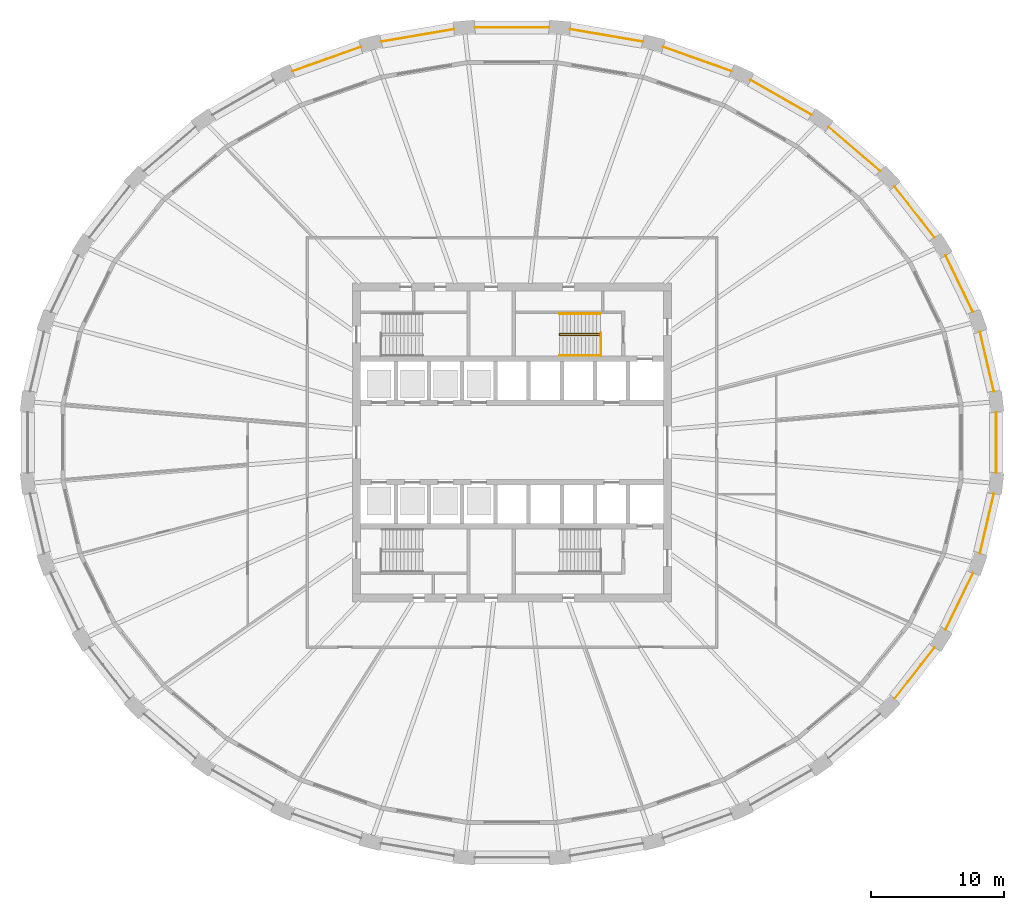
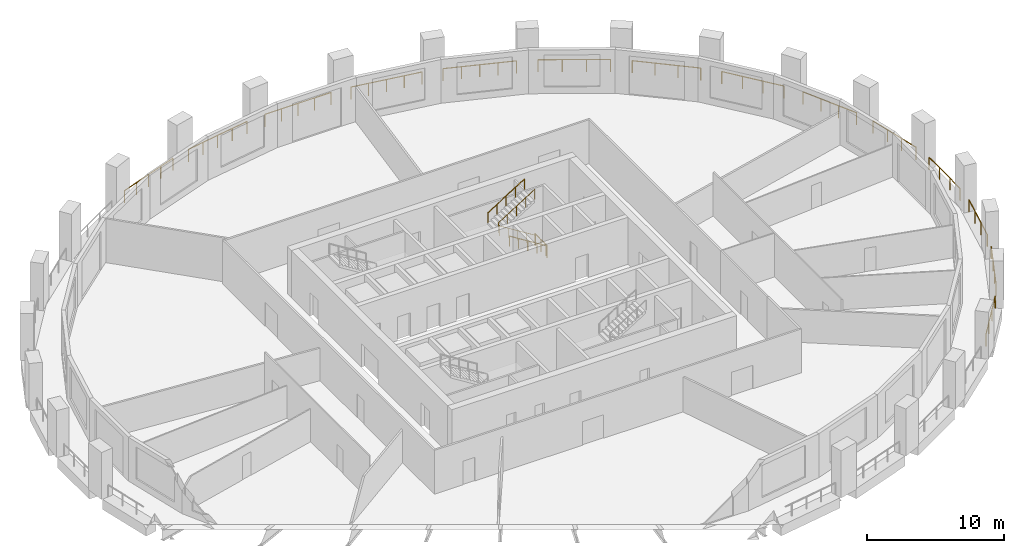
# One storey, part 10 of 11: 18 railings.
"""IFC4 building model written with IfcOpenShell, lengths in metres."""

from ifc_helpers import new_model, si_unit, direction, frame, origin, origin_2d, place, context, subcontext, project, spatial, circle, extrude, material, type_object, element, save


model = new_model("IFC4")

# Units and contexts
model_context = context("Model", 3, precision=1e-05, world=origin(), true_north=direction((0.0, 1.0)))
body_context = subcontext(model_context, "Body", "Model", "MODEL_VIEW")
ifc_project = project(units=[si_unit("LENGTHUNIT", "METRE"), si_unit("AREAUNIT", "SQUARE_METRE"), si_unit("VOLUMEUNIT", "CUBIC_METRE"), si_unit("PLANEANGLEUNIT", "RADIAN"), si_unit("MASSUNIT", "GRAM", prefix="KILO")], contexts=[model_context])

# Site, building, storey
site_placement = place(None, origin())
site = spatial("IfcSite", under=ifc_project, at=site_placement, CompositionType="ELEMENT")
building_placement = place(site_placement, origin())
building = spatial("IfcBuilding", under=site, at=building_placement, Name="Halqa Exchange Tower", CompositionType="ELEMENT")
storey_placement = place(building_placement, frame((0.0, 0.0, 73.89990234375)))
storey = spatial("IfcBuildingStorey", under=building, at=storey_placement, Name="L16", CompositionType="ELEMENT", Elevation=73.89990234375)

# Railings
ifc_material = material(Name="Stainless steel", Category="steel")
railing_type_1 = type_object("IfcRailingType", Name="Guard 1100 stainless steel", PredefinedType="GUARDRAIL", material=ifc_material)
railing_1_placement = place(storey_placement, frame((36.2744140625, 3.85693359375, 0.0)))
element("IfcRailing", 1, at=railing_1_placement, inside=storey, type_object=railing_type_1, Name="Loggia guard 1", PredefinedType="GUARDRAIL", context=body_context, shape_type="SweptSolid", body=[
    extrude(circle(Radius=0.02392578125, at=origin_2d()), frame((0.0, 0.0, 1.076171875), z_axis=(-0.226069418953, 0.974111193763, 0.0), x_axis=(-0.974111193763, -0.226069418953, 0.0)), (0.0, 0.0, 1.0), 4.59716796875),
    extrude(circle(Radius=0.02099609375, at=origin_2d()), origin(), (0.0, 0.0, 1.0), 1.052001953125),
    extrude(circle(Radius=0.02099609375, at=origin_2d()), frame((-0.346435546875, 1.49267578125, 0.0)), (0.0, 0.0, 1.0), 1.052001953125),
    extrude(circle(Radius=0.02099609375, at=origin_2d()), frame((-0.69287109375, 2.985595703125, 0.0)), (0.0, 0.0, 1.0), 1.052001953125),
    extrude(circle(Radius=0.02099609375, at=origin_2d()), frame((-1.039306640625, 4.478271484375, 0.0)), (0.0, 0.0, 1.0), 1.052001953125),
])
railing_2_placement = place(storey_placement, frame((34.706298828125, 9.834716796875, 0.0)))
element("IfcRailing", 2, at=railing_2_placement, inside=storey, type_object=railing_type_1, Name="Loggia guard 2", PredefinedType="GUARDRAIL", context=body_context, shape_type="SweptSolid", body=[
    extrude(circle(Radius=0.02392578125, at=origin_2d()), frame((0.0, 0.0, 1.076171875), z_axis=(-0.435121098841, 0.900371939447, 0.0), x_axis=(-0.900371939447, -0.435121098841, 0.0)), (0.0, 0.0, 1.0), 4.7158203125),
    extrude(circle(Radius=0.02099609375, at=origin_2d()), origin(), (0.0, 0.0, 1.0), 1.052001953125),
    extrude(circle(Radius=0.02099609375, at=origin_2d()), frame((-0.68408203125, 1.415283203125, 0.0)), (0.0, 0.0, 1.0), 1.052001953125),
    extrude(circle(Radius=0.02099609375, at=origin_2d()), frame((-1.367919921875, 2.830810546875, 0.0)), (0.0, 0.0, 1.0), 1.052001953125),
    extrude(circle(Radius=0.02099609375, at=origin_2d()), frame((-2.052001953125, 4.24609375, 0.0)), (0.0, 0.0, 1.0), 1.052001953125),
])
railing_3_placement = place(storey_placement, frame((31.814208984375, 15.43212890625, 0.0)))
element("IfcRailing", 3, at=railing_3_placement, inside=storey, type_object=railing_type_1, Name="Loggia guard 3", PredefinedType="GUARDRAIL", context=body_context, shape_type="SweptSolid", body=[
    extrude(circle(Radius=0.02392578125, at=origin_2d()), frame((0.0, 0.0, 1.076171875), z_axis=(-0.614773449853, 0.788703750059, 0.0), x_axis=(-0.788703750059, -0.614773449853, 0.0)), (0.0, 0.0, 1.0), 4.888916015625),
    extrude(circle(Radius=0.02099609375, at=origin_2d()), origin(), (0.0, 0.0, 1.0), 1.052001953125),
    extrude(circle(Radius=0.02099609375, at=origin_2d()), frame((-1.001953125, 1.285400390625, 0.0)), (0.0, 0.0, 1.0), 1.052001953125),
    extrude(circle(Radius=0.02099609375, at=origin_2d()), frame((-2.003662109375, 2.570556640625, 0.0)), (0.0, 0.0, 1.0), 1.052001953125),
    extrude(circle(Radius=0.02099609375, at=origin_2d()), frame((-3.005615234375, 3.85595703125, 0.0)), (0.0, 0.0, 1.0), 1.052001953125),
])
railing_4_placement = place(storey_placement, frame((27.709228515625, 20.439697265625, 0.0)))
element("IfcRailing", 4, at=railing_4_placement, inside=storey, type_object=railing_type_1, Name="Loggia guard 4", PredefinedType="GUARDRAIL", context=body_context, shape_type="SweptSolid", body=[
    extrude(circle(Radius=0.02392578125, at=origin_2d()), frame((0.0, 0.0, 1.076171875), z_axis=(-0.759270150969, 0.650775566419, 0.0), x_axis=(-0.650775566419, -0.759270150969, 0.0)), (0.0, 0.0, 1.0), 5.087890625),
    extrude(circle(Radius=0.02099609375, at=origin_2d()), origin(), (0.0, 0.0, 1.0), 1.052001953125),
    extrude(circle(Radius=0.02099609375, at=origin_2d()), frame((-1.28759765625, 1.103759765625, 0.0)), (0.0, 0.0, 1.0), 1.052001953125),
    extrude(circle(Radius=0.02099609375, at=origin_2d()), frame((-2.575439453125, 2.207275390625, 0.0)), (0.0, 0.0, 1.0), 1.052001953125),
    extrude(circle(Radius=0.02099609375, at=origin_2d()), frame((-3.863037109375, 3.31103515625, 0.0)), (0.0, 0.0, 1.0), 1.052001953125),
])
railing_5_placement = place(storey_placement, frame((22.544677734375, 24.6689453125, 0.0)))
element("IfcRailing", 5, at=railing_5_placement, inside=storey, type_object=railing_type_1, Name="Loggia guard 5", PredefinedType="GUARDRAIL", context=body_context, shape_type="SweptSolid", body=[
    extrude(circle(Radius=0.02392578125, at=origin_2d()), frame((0.0, 0.0, 1.076171875), z_axis=(-0.867759080411, 0.496985088674, 0.0), x_axis=(-0.496985088674, -0.867759080411, 0.0)), (0.0, 0.0, 1.0), 5.28076171875),
    extrude(circle(Radius=0.02099609375, at=origin_2d()), origin(), (0.0, 0.0, 1.0), 1.052001953125),
    extrude(circle(Radius=0.02099609375, at=origin_2d()), frame((-1.527587890625, 0.874755859375, 0.0)), (0.0, 0.0, 1.0), 1.052001953125),
    extrude(circle(Radius=0.02099609375, at=origin_2d()), frame((-3.054931640625, 1.749755859375, 0.0)), (0.0, 0.0, 1.0), 1.052001953125),
    extrude(circle(Radius=0.02099609375, at=origin_2d()), frame((-4.58251953125, 2.62451171875, 0.0)), (0.0, 0.0, 1.0), 1.052001953125),
])
railing_6_placement = place(storey_placement, frame((16.51416015625, 27.958740234375, 0.0)))
element("IfcRailing", 6, at=railing_6_placement, inside=storey, type_object=railing_type_1, Name="Loggia guard 6", PredefinedType="GUARDRAIL", context=body_context, shape_type="SweptSolid", body=[
    extrude(circle(Radius=0.02392578125, at=origin_2d()), frame((0.0, 0.0, 1.076171875), z_axis=(-0.94237481019, 0.334558988998, 0.0), x_axis=(-0.334558988998, -0.94237481019, 0.0)), (0.0, 0.0, 1.0), 5.440185546875),
    extrude(circle(Radius=0.02099609375, at=origin_2d()), origin(), (0.0, 0.0, 1.0), 1.052001953125),
    extrude(circle(Radius=0.02099609375, at=origin_2d()), frame((-1.28173828125, 0.455078125, 0.0)), (0.0, 0.0, 1.0), 1.052001953125),
    extrude(circle(Radius=0.02099609375, at=origin_2d()), frame((-2.5634765625, 0.91015625, 0.0)), (0.0, 0.0, 1.0), 1.052001953125),
    extrude(circle(Radius=0.02099609375, at=origin_2d()), frame((-3.844970703125, 1.364990234375, 0.0)), (0.0, 0.0, 1.0), 1.052001953125),
    extrude(circle(Radius=0.02099609375, at=origin_2d()), frame((-5.126708984375, 1.820068359375, 0.0)), (0.0, 0.0, 1.0), 1.052001953125),
])
railing_7_placement = place(storey_placement, frame((9.844970703125, 30.180908203125, 0.0)))
element("IfcRailing", 7, at=railing_7_placement, inside=storey, type_object=railing_type_1, Name="Loggia guard 7", PredefinedType="GUARDRAIL", context=body_context, shape_type="SweptSolid", body=[
    extrude(circle(Radius=0.02392578125, at=origin_2d()), frame((0.0, 0.0, 1.076171875), z_axis=(-0.985775416456, 0.168067927667, 0.0), x_axis=(-0.168067927667, -0.985775416456, 0.0)), (0.0, 0.0, 1.0), 5.544677734375),
    extrude(circle(Radius=0.02099609375, at=origin_2d()), origin(), (0.0, 0.0, 1.0), 1.052001953125),
    extrude(circle(Radius=0.02099609375, at=origin_2d()), frame((-1.366455078125, 0.23291015625, 0.0)), (0.0, 0.0, 1.0), 1.052001953125),
    extrude(circle(Radius=0.02099609375, at=origin_2d()), frame((-2.73291015625, 0.4658203125, 0.0)), (0.0, 0.0, 1.0), 1.052001953125),
    extrude(circle(Radius=0.02099609375, at=origin_2d()), frame((-4.099365234375, 0.698974609375, 0.0)), (0.0, 0.0, 1.0), 1.052001953125),
    extrude(circle(Radius=0.02099609375, at=origin_2d()), frame((-5.4658203125, 0.931884765625, 0.0)), (0.0, 0.0, 1.0), 1.052001953125),
])
railing_8_placement = place(storey_placement, frame((2.79052734375, 31.247314453125, 0.0)))
element("IfcRailing", 8, at=railing_8_placement, inside=storey, type_object=railing_type_1, Name="Loggia guard 8", PredefinedType="GUARDRAIL", context=body_context, shape_type="SweptSolid", body=[
    extrude(circle(Radius=0.02392578125, at=origin_2d()), frame((0.0, 0.0, 1.076171875), z_axis=(-1.0, 0.0, 0.0), x_axis=(0.0, -1.0, 0.0)), (0.0, 0.0, 1.0), 5.5810546875),
    extrude(circle(Radius=0.02099609375, at=origin_2d()), origin(), (0.0, 0.0, 1.0), 1.052001953125),
    extrude(circle(Radius=0.02099609375, at=origin_2d()), frame((-1.395263671875, 0.0, 0.0)), (0.0, 0.0, 1.0), 1.052001953125),
    extrude(circle(Radius=0.02099609375, at=origin_2d()), frame((-2.79052734375, 0.0, 0.0)), (0.0, 0.0, 1.0), 1.052001953125),
    extrude(circle(Radius=0.02099609375, at=origin_2d()), frame((-4.185791015625, 0.0, 0.0)), (0.0, 0.0, 1.0), 1.052001953125),
    extrude(circle(Radius=0.02099609375, at=origin_2d()), frame((-5.5810546875, 0.0, 0.0)), (0.0, 0.0, 1.0), 1.052001953125),
])
railing_9_placement = place(storey_placement, frame((-4.379150390625, 31.11279296875, 0.0)))
element("IfcRailing", 9, at=railing_9_placement, inside=storey, type_object=railing_type_1, Name="Loggia guard 9", PredefinedType="GUARDRAIL", context=body_context, shape_type="SweptSolid", body=[
    extrude(circle(Radius=0.02392578125, at=origin_2d()), frame((0.0, 0.0, 1.076171875), z_axis=(-0.985775416456, -0.168067927667, 0.0), x_axis=(0.168067927667, -0.985775416456, 0.0)), (0.0, 0.0, 1.0), 5.544677734375),
    extrude(circle(Radius=0.02099609375, at=origin_2d()), origin(), (0.0, 0.0, 1.0), 1.052001953125),
    extrude(circle(Radius=0.02099609375, at=origin_2d()), frame((-1.366455078125, -0.23291015625, 0.0)), (0.0, 0.0, 1.0), 1.052001953125),
    extrude(circle(Radius=0.02099609375, at=origin_2d()), frame((-2.73291015625, -0.4658203125, 0.0)), (0.0, 0.0, 1.0), 1.052001953125),
    extrude(circle(Radius=0.02099609375, at=origin_2d()), frame((-4.099365234375, -0.698974609375, 0.0)), (0.0, 0.0, 1.0), 1.052001953125),
    extrude(circle(Radius=0.02099609375, at=origin_2d()), frame((-5.4658203125, -0.931884765625, 0.0)), (0.0, 0.0, 1.0), 1.052001953125),
])
railing_10_placement = place(storey_placement, frame((-11.387451171875, 29.77880859375, 0.0)))
element("IfcRailing", 10, at=railing_10_placement, inside=storey, type_object=railing_type_1, Name="Loggia guard 10", PredefinedType="GUARDRAIL", context=body_context, shape_type="SweptSolid", body=[
    extrude(circle(Radius=0.02392578125, at=origin_2d()), frame((0.0, 0.0, 1.076171875), z_axis=(-0.94237481019, -0.334558988998, 0.0), x_axis=(0.334558988998, -0.94237481019, 0.0)), (0.0, 0.0, 1.0), 5.440185546875),
    extrude(circle(Radius=0.02099609375, at=origin_2d()), origin(), (0.0, 0.0, 1.0), 1.052001953125),
    extrude(circle(Radius=0.02099609375, at=origin_2d()), frame((-1.28173828125, -0.455078125, 0.0)), (0.0, 0.0, 1.0), 1.052001953125),
    extrude(circle(Radius=0.02099609375, at=origin_2d()), frame((-2.5634765625, -0.91015625, 0.0)), (0.0, 0.0, 1.0), 1.052001953125),
    extrude(circle(Radius=0.02099609375, at=origin_2d()), frame((-3.844970703125, -1.364990234375, 0.0)), (0.0, 0.0, 1.0), 1.052001953125),
    extrude(circle(Radius=0.02099609375, at=origin_2d()), frame((-5.126708984375, -1.820068359375, 0.0)), (0.0, 0.0, 1.0), 1.052001953125),
])
railing_11_placement = place(storey_placement, frame((28.80859375, -19.2880859375, 0.0)))
element("IfcRailing", 11, at=railing_11_placement, inside=storey, type_object=railing_type_1, Name="Loggia guard 29", PredefinedType="GUARDRAIL", context=body_context, shape_type="SweptSolid", body=[
    extrude(circle(Radius=0.02392578125, at=origin_2d()), frame((0.0, 0.0, 1.076171875), z_axis=(0.614773449853, 0.788703750059, 0.0), x_axis=(-0.788703750059, 0.614773449853, 0.0)), (0.0, 0.0, 1.0), 4.888916015625),
    extrude(circle(Radius=0.02099609375, at=origin_2d()), origin(), (0.0, 0.0, 1.0), 1.052001953125),
    extrude(circle(Radius=0.02099609375, at=origin_2d()), frame((1.001953125, 1.285400390625, 0.0)), (0.0, 0.0, 1.0), 1.052001953125),
    extrude(circle(Radius=0.02099609375, at=origin_2d()), frame((2.003662109375, 2.570556640625, 0.0)), (0.0, 0.0, 1.0), 1.052001953125),
    extrude(circle(Radius=0.02099609375, at=origin_2d()), frame((3.005615234375, 3.85595703125, 0.0)), (0.0, 0.0, 1.0), 1.052001953125),
])
railing_12_placement = place(storey_placement, frame((32.654296875, -14.080810546875, 0.0)))
element("IfcRailing", 12, at=railing_12_placement, inside=storey, type_object=railing_type_1, Name="Loggia guard 30", PredefinedType="GUARDRAIL", context=body_context, shape_type="SweptSolid", body=[
    extrude(circle(Radius=0.02392578125, at=origin_2d()), frame((0.0, 0.0, 1.076171875), z_axis=(0.435121098841, 0.900371939447, 0.0), x_axis=(-0.900371939447, 0.435121098841, 0.0)), (0.0, 0.0, 1.0), 4.7158203125),
    extrude(circle(Radius=0.02099609375, at=origin_2d()), origin(), (0.0, 0.0, 1.0), 1.052001953125),
    extrude(circle(Radius=0.02099609375, at=origin_2d()), frame((0.68408203125, 1.415283203125, 0.0)), (0.0, 0.0, 1.0), 1.052001953125),
    extrude(circle(Radius=0.02099609375, at=origin_2d()), frame((1.367919921875, 2.830810546875, 0.0)), (0.0, 0.0, 1.0), 1.052001953125),
    extrude(circle(Radius=0.02099609375, at=origin_2d()), frame((2.052001953125, 4.24609375, 0.0)), (0.0, 0.0, 1.0), 1.052001953125),
])
railing_13_placement = place(storey_placement, frame((35.235107421875, -8.335205078125, 0.0)))
element("IfcRailing", 13, at=railing_13_placement, inside=storey, type_object=railing_type_1, Name="Loggia guard 31", PredefinedType="GUARDRAIL", context=body_context, shape_type="SweptSolid", body=[
    extrude(circle(Radius=0.02392578125, at=origin_2d()), frame((0.0, 0.0, 1.076171875), z_axis=(0.226069418953, 0.974111193763, 0.0), x_axis=(-0.974111193763, 0.226069418953, 0.0)), (0.0, 0.0, 1.0), 4.59716796875),
    extrude(circle(Radius=0.02099609375, at=origin_2d()), origin(), (0.0, 0.0, 1.0), 1.052001953125),
    extrude(circle(Radius=0.02099609375, at=origin_2d()), frame((0.346435546875, 1.49267578125, 0.0)), (0.0, 0.0, 1.0), 1.052001953125),
    extrude(circle(Radius=0.02099609375, at=origin_2d()), frame((0.69287109375, 2.985595703125, 0.0)), (0.0, 0.0, 1.0), 1.052001953125),
    extrude(circle(Radius=0.02099609375, at=origin_2d()), frame((1.039306640625, 4.478271484375, 0.0)), (0.0, 0.0, 1.0), 1.052001953125),
])
railing_14_placement = place(storey_placement, frame((36.455078125, -2.277587890625, 0.0)))
element("IfcRailing", 14, at=railing_14_placement, inside=storey, type_object=railing_type_1, Name="Loggia guard 32", PredefinedType="GUARDRAIL", context=body_context, shape_type="SweptSolid", body=[
    extrude(circle(Radius=0.02392578125, at=origin_2d()), frame((0.0, 0.0, 1.076171875), z_axis=(0.0, 1.0, 0.0), x_axis=(-1.0, 0.0, 0.0)), (0.0, 0.0, 1.0), 4.55517578125),
    extrude(circle(Radius=0.02099609375, at=origin_2d()), origin(), (0.0, 0.0, 1.0), 1.052001953125),
    extrude(circle(Radius=0.02099609375, at=origin_2d()), frame((0.0, 1.518310546875, 0.0)), (0.0, 0.0, 1.0), 1.052001953125),
    extrude(circle(Radius=0.02099609375, at=origin_2d()), frame((0.0, 3.036865234375, 0.0)), (0.0, 0.0, 1.0), 1.052001953125),
    extrude(circle(Radius=0.02099609375, at=origin_2d()), frame((0.0, 4.55517578125, 0.0)), (0.0, 0.0, 1.0), 1.052001953125),
])
railing_type_2 = type_object("IfcRailingType", Name="Stair handrail 900", PredefinedType="HANDRAIL", material=ifc_material)
railing_15_placement = place(storey_placement, frame((6.64990234375, 8.06005859375, 0.175048828125)))
element("IfcRailing", 15, at=railing_15_placement, inside=storey, type_object=railing_type_2, Name="Handrail ST2.1", PredefinedType="HANDRAIL", context=body_context, shape_type="SweptSolid", body=[
    extrude(circle(Radius=0.02392578125, at=origin_2d()), frame((0.0, 0.0, 0.8759765625), z_axis=(-0.847979421464, 0.0, 0.530029150871), x_axis=(0.0, -1.0, 0.0)), (0.0, 0.0, 1.0), 3.632080078125),
    extrude(circle(Radius=0.02392578125, at=origin_2d()), frame((-3.079833984375, 0.0, 2.80078125), z_axis=(0.0, 0.595870227118, 0.803080738428), x_axis=(-1.0, 0.0, 0.0)), (0.0, 0.0, 1.0), 0.218017578125),
    extrude(circle(Radius=0.02392578125, at=origin_2d()), frame((-3.079833984375, 0.1298828125, 2.97607421875), z_axis=(0.847979421464, 0.0, 0.530029150871), x_axis=(0.0, 1.0, 0.0)), (0.0, 0.0, 1.0), 3.632080078125),
    extrude(circle(Radius=0.02099609375, at=origin_2d()), origin(), (0.0, 0.0, 1.0), 0.851806640625),
    extrude(circle(Radius=0.02099609375, at=origin_2d()), frame((-0.77001953125, 0.0, 0.481201171875)), (0.0, 0.0, 1.0), 0.851806640625),
    extrude(circle(Radius=0.02099609375, at=origin_2d()), frame((-1.5400390625, 0.0, 0.96240234375)), (0.0, 0.0, 1.0), 0.851806640625),
    extrude(circle(Radius=0.02099609375, at=origin_2d()), frame((-2.309814453125, 0.0, 1.44384765625)), (0.0, 0.0, 1.0), 0.851806640625),
    extrude(circle(Radius=0.02099609375, at=origin_2d()), frame((-3.079833984375, 0.0, 1.925048828125)), (0.0, 0.0, 1.0), 0.851806640625),
    extrude(circle(Radius=0.02099609375, at=origin_2d()), frame((-3.079833984375, 0.1298828125, 2.10009765625)), (0.0, 0.0, 1.0), 0.851806640625),
    extrude(circle(Radius=0.02099609375, at=origin_2d()), frame((-2.309814453125, 0.1298828125, 2.581298828125)), (0.0, 0.0, 1.0), 0.851806640625),
    extrude(circle(Radius=0.02099609375, at=origin_2d()), frame((-1.5400390625, 0.1298828125, 3.0625)), (0.0, 0.0, 1.0), 0.851806640625),
    extrude(circle(Radius=0.02099609375, at=origin_2d()), frame((-0.77001953125, 0.1298828125, 3.5439453125)), (0.0, 0.0, 1.0), 0.851806640625),
    extrude(circle(Radius=0.02099609375, at=origin_2d()), frame((0.0, 0.1298828125, 4.025146484375)), (0.0, 0.0, 1.0), 0.851806640625),
])
railing_16_placement = place(storey_placement, frame((6.64990234375, 6.550048828125, 0.175048828125)))
element("IfcRailing", 16, at=railing_16_placement, inside=storey, type_object=railing_type_2, Name="Handrail ST2.2", PredefinedType="HANDRAIL", context=body_context, shape_type="SweptSolid", body=[
    extrude(circle(Radius=0.02392578125, at=origin_2d()), frame((0.0, 0.0, 0.8759765625), z_axis=(-0.847979421464, 0.0, 0.530029150871), x_axis=(0.0, -1.0, 0.0)), (0.0, 0.0, 1.0), 3.632080078125),
    extrude(circle(Radius=0.02099609375, at=origin_2d()), origin(), (0.0, 0.0, 1.0), 0.851806640625),
    extrude(circle(Radius=0.02099609375, at=origin_2d()), frame((-0.77001953125, 0.0, 0.481201171875)), (0.0, 0.0, 1.0), 0.851806640625),
    extrude(circle(Radius=0.02099609375, at=origin_2d()), frame((-1.5400390625, 0.0, 0.96240234375)), (0.0, 0.0, 1.0), 0.851806640625),
    extrude(circle(Radius=0.02099609375, at=origin_2d()), frame((-2.309814453125, 0.0, 1.44384765625)), (0.0, 0.0, 1.0), 0.851806640625),
    extrude(circle(Radius=0.02099609375, at=origin_2d()), frame((-3.079833984375, 0.0, 1.925048828125)), (0.0, 0.0, 1.0), 0.851806640625),
])
railing_17_placement = place(storey_placement, frame((3.570068359375, 9.699951171875, 2.275146484375)))
element("IfcRailing", 17, at=railing_17_placement, inside=storey, type_object=railing_type_2, Name="Handrail ST2.3", PredefinedType="HANDRAIL", context=body_context, shape_type="SweptSolid", body=[
    extrude(circle(Radius=0.02392578125, at=origin_2d()), frame((0.0, 0.0, 0.8759765625), z_axis=(0.847979421464, 0.0, 0.530029150871), x_axis=(0.0, 1.0, 0.0)), (0.0, 0.0, 1.0), 3.632080078125),
    extrude(circle(Radius=0.02099609375, at=origin_2d()), origin(), (0.0, 0.0, 1.0), 0.851806640625),
    extrude(circle(Radius=0.02099609375, at=origin_2d()), frame((0.77001953125, 0.0, 0.481201171875)), (0.0, 0.0, 1.0), 0.851806640625),
    extrude(circle(Radius=0.02099609375, at=origin_2d()), frame((1.5400390625, 0.0, 0.96240234375)), (0.0, 0.0, 1.0), 0.851806640625),
    extrude(circle(Radius=0.02099609375, at=origin_2d()), frame((2.309814453125, 0.0, 1.44384765625)), (0.0, 0.0, 1.0), 0.851806640625),
    extrude(circle(Radius=0.02099609375, at=origin_2d()), frame((3.079833984375, 0.0, 1.925048828125)), (0.0, 0.0, 1.0), 0.851806640625),
])
railing_type_3 = type_object("IfcRailingType", Name="Stair well guard 1100", PredefinedType="GUARDRAIL", material=ifc_material)
railing_18_placement = place(storey_placement, frame((6.699951171875, 6.5, 0.0)))
element("IfcRailing", 18, at=railing_18_placement, inside=storey, type_object=railing_type_3, Name="Guard ST2 well", PredefinedType="GUARDRAIL", context=body_context, shape_type="SweptSolid", body=[
    extrude(circle(Radius=0.02392578125, at=origin_2d()), frame((0.0, 0.0, 1.076171875), z_axis=(0.0, 1.0, 0.0), x_axis=(-1.0, 0.0, 0.0)), (0.0, 0.0, 1.0), 1.75),
    extrude(circle(Radius=0.02099609375, at=origin_2d()), origin(), (0.0, 0.0, 1.0), 1.052001953125),
    extrude(circle(Radius=0.02099609375, at=origin_2d()), frame((0.0, 0.875, 0.0)), (0.0, 0.0, 1.0), 1.052001953125),
    extrude(circle(Radius=0.02099609375, at=origin_2d()), frame((0.0, 1.75, 0.0)), (0.0, 0.0, 1.0), 1.052001953125),
])

save(model, "model.ifc")
